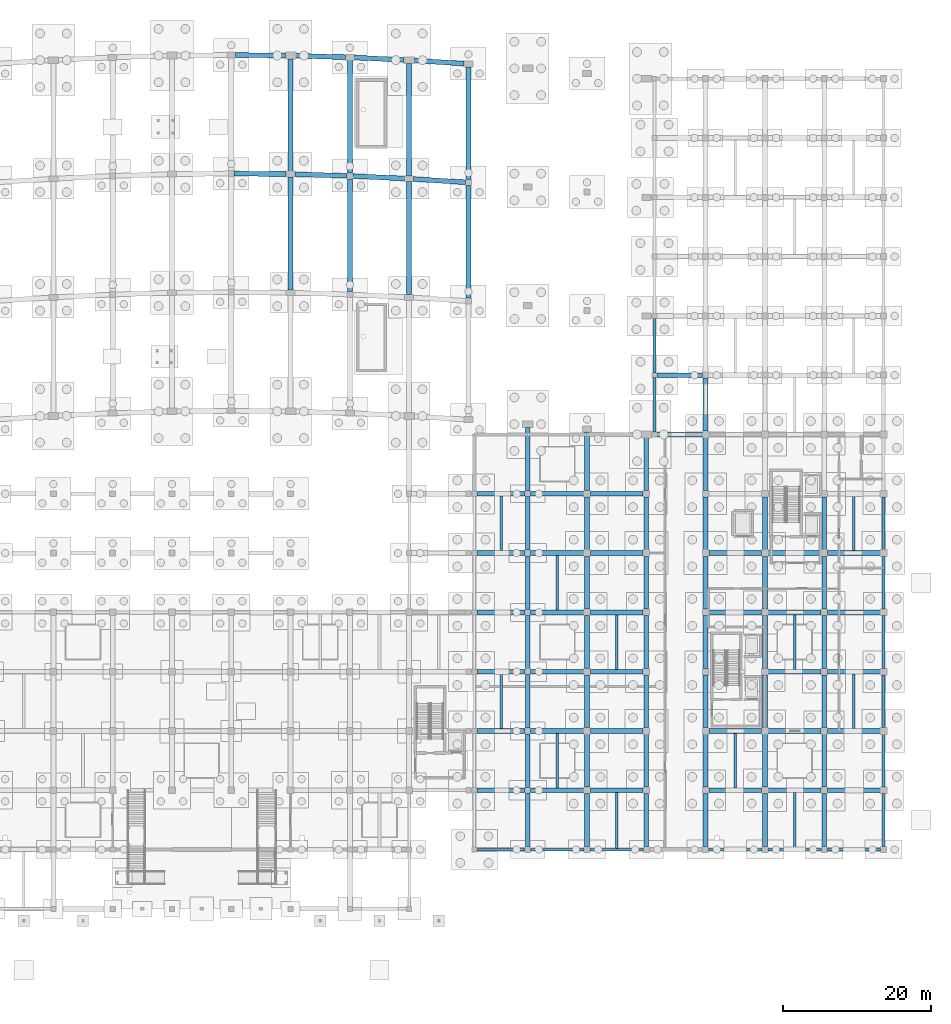
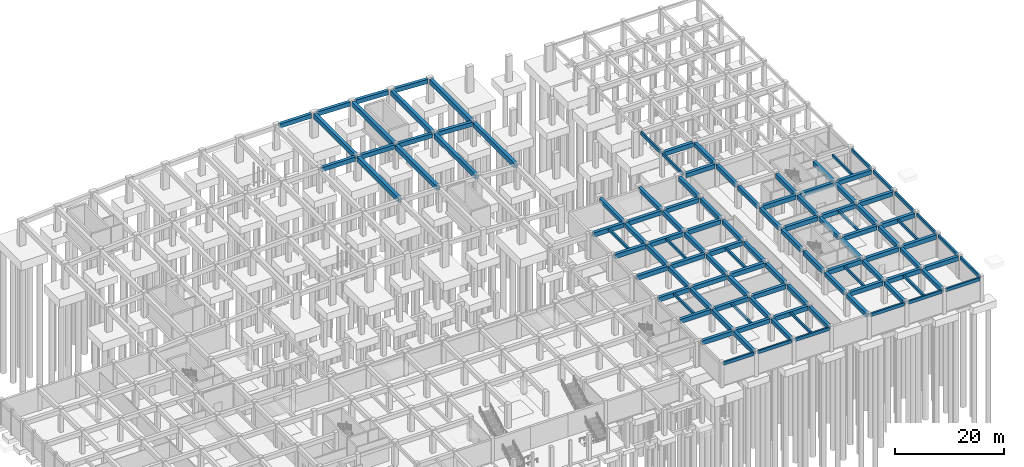
# One storey, part 21 of 45: 116 beams.
"""IFC4 building model written with IfcOpenShell, lengths in metres."""

from ifc_helpers import new_model, si_unit, direction, frame, origin, origin_2d, place, context, subcontext, project, spatial, rectangle, extrude, material, material_profile, profile_set, type_object, element, save


model = new_model("IFC4")

# Units and contexts
model_context = context("Model", 3, precision=1e-05, world=origin(), true_north=direction((0.0, 1.0)))
body_context = subcontext(model_context, "Body", "Model", "MODEL_VIEW")
ifc_project = project(units=[si_unit("LENGTHUNIT", "METRE"), si_unit("AREAUNIT", "SQUARE_METRE"), si_unit("VOLUMEUNIT", "CUBIC_METRE"), si_unit("PLANEANGLEUNIT", "RADIAN"), si_unit("MASSUNIT", "GRAM", prefix="KILO")], contexts=[model_context])

# Site, building, storey
site_placement = place(None, origin())
site = spatial("IfcSite", under=ifc_project, at=site_placement, CompositionType="ELEMENT")
building_placement = place(site_placement, origin())
building = spatial("IfcBuilding", under=site, at=building_placement, Name="Kenh Van Central Station", CompositionType="ELEMENT")
storey_placement = place(building_placement, frame((0.0, 0.0, -5.39990234375)))
storey = spatial("IfcBuildingStorey", under=building, at=storey_placement, Name="B1", CompositionType="ELEMENT", Elevation=-5.39990234375)

# Beams
ifc_material_1 = material(Name="Concrete C40/50", Category="concrete")
ifc_material_profile_1 = material_profile(ifc_material_1, rectangle(XDim=0.64990234375, YDim=0.949951171875, at=origin_2d()), Name="RC 650x950")
ifc_profile_set_1 = profile_set([ifc_material_profile_1], Name="Concrete C40/50")
beam_type_1 = type_object("IfcBeamType", Name="BM-RC-650x950", PredefinedType="BEAM", material=ifc_profile_set_1)
beam_1_placement = place(storey_placement, frame((121.139892578125, 16.0, 4.625), z_axis=(1.0, 0.0, 0.0), x_axis=(0.0, 1.0, 0.0)))
element("IfcBeam", 1, at=beam_1_placement, inside=storey, type_object=beam_type_1, Name="B1 beam 0028", PredefinedType="BEAM", context=body_context, shape_type="SweptSolid", body=[
    extrude(rectangle(XDim=0.64990234375, YDim=0.949951171875, at=origin_2d()), origin(), (0.0, 0.0, 1.0), 6.47021484375),
])
beam_2_placement = place(storey_placement, frame((128.389892578125, 16.0, 4.625), z_axis=(1.0, 0.0, 0.0), x_axis=(0.0, 1.0, 0.0)))
element("IfcBeam", 2, at=beam_2_placement, inside=storey, type_object=beam_type_1, Name="B1 beam 0029", PredefinedType="BEAM", context=body_context, shape_type="SweptSolid", body=[
    extrude(rectangle(XDim=0.64990234375, YDim=0.949951171875, at=origin_2d()), origin(), (0.0, 0.0, 1.0), 7.170166015625),
])
for number, where, z_axis, x_axis, name in (
    (3, (136.43994140625, 16.0, 4.625), (1.0, 0.0, 0.0), (0.0, 1.0, 0.0), "B1 beam 0030"),
    (4, (152.43994140625, 16.0, 4.5849609375), (1.0, 0.0, 0.0), (0.0, 1.0, 0.0), "B1 beam 0031"),
    (5, (160.43994140625, 16.0, 4.5849609375), (1.0, 0.0, 0.0), (0.0, 1.0, 0.0), "B1 beam 0032"),
    (6, (168.43994140625, 16.0, 4.5849609375), (1.0, 0.0, 0.0), (0.0, 1.0, 0.0), "B1 beam 0033"),
):
    element("IfcBeam", number, at=place(storey_placement, frame(where, z_axis=z_axis, x_axis=x_axis)), inside=storey, type_object=beam_type_1, Name=name, PredefinedType="BEAM", context=body_context, shape_type="SweptSolid", body=[
        extrude(rectangle(XDim=0.64990234375, YDim=0.949951171875, at=origin_2d()), origin(), (0.0, 0.0, 1.0), 7.1201171875),
    ])
beam_3_placement = place(storey_placement, frame((121.139892578125, 24.0, 4.625), z_axis=(1.0, 0.0, 0.0), x_axis=(0.0, 1.0, 0.0)))
element("IfcBeam", 7, at=beam_3_placement, inside=storey, type_object=beam_type_1, Name="B1 beam 0047", PredefinedType="BEAM", context=body_context, shape_type="SweptSolid", body=[
    extrude(rectangle(XDim=0.64990234375, YDim=0.949951171875, at=origin_2d()), origin(), (0.0, 0.0, 1.0), 6.47021484375),
])
beam_4_placement = place(storey_placement, frame((128.389892578125, 24.0, 4.625), z_axis=(1.0, 0.0, 0.0), x_axis=(0.0, 1.0, 0.0)))
element("IfcBeam", 8, at=beam_4_placement, inside=storey, type_object=beam_type_1, Name="B1 beam 0048", PredefinedType="BEAM", context=body_context, shape_type="SweptSolid", body=[
    extrude(rectangle(XDim=0.64990234375, YDim=0.949951171875, at=origin_2d()), origin(), (0.0, 0.0, 1.0), 7.170166015625),
])
for number, where, z_axis, x_axis, name in (
    (9, (136.43994140625, 24.0, 4.625), (1.0, 0.0, 0.0), (0.0, 1.0, 0.0), "B1 beam 0049"),
    (10, (152.43994140625, 24.0, 4.5849609375), (1.0, 0.0, 0.0), (0.0, 1.0, 0.0), "B1 beam 0050"),
    (11, (160.43994140625, 24.0, 4.5849609375), (1.0, 0.0, 0.0), (0.0, 1.0, 0.0), "B1 beam 0051"),
    (12, (168.43994140625, 24.0, 4.5849609375), (1.0, 0.0, 0.0), (0.0, 1.0, 0.0), "B1 beam 0052"),
):
    element("IfcBeam", number, at=place(storey_placement, frame(where, z_axis=z_axis, x_axis=x_axis)), inside=storey, type_object=beam_type_1, Name=name, PredefinedType="BEAM", context=body_context, shape_type="SweptSolid", body=[
        extrude(rectangle(XDim=0.64990234375, YDim=0.949951171875, at=origin_2d()), origin(), (0.0, 0.0, 1.0), 7.1201171875),
    ])
beam_5_placement = place(storey_placement, frame((121.139892578125, 32.0, 4.625), z_axis=(1.0, 0.0, 0.0), x_axis=(0.0, 1.0, 0.0)))
element("IfcBeam", 13, at=beam_5_placement, inside=storey, type_object=beam_type_1, Name="B1 beam 0068", PredefinedType="BEAM", context=body_context, shape_type="SweptSolid", body=[
    extrude(rectangle(XDim=0.64990234375, YDim=0.949951171875, at=origin_2d()), origin(), (0.0, 0.0, 1.0), 6.47021484375),
])
beam_6_placement = place(storey_placement, frame((128.389892578125, 32.0, 4.625), z_axis=(1.0, 0.0, 0.0), x_axis=(0.0, 1.0, 0.0)))
element("IfcBeam", 14, at=beam_6_placement, inside=storey, type_object=beam_type_1, Name="B1 beam 0069", PredefinedType="BEAM", context=body_context, shape_type="SweptSolid", body=[
    extrude(rectangle(XDim=0.64990234375, YDim=0.949951171875, at=origin_2d()), origin(), (0.0, 0.0, 1.0), 7.170166015625),
])
for number, where, z_axis, x_axis, name in (
    (15, (136.43994140625, 32.0, 4.625), (1.0, 0.0, 0.0), (0.0, 1.0, 0.0), "B1 beam 0070"),
    (16, (160.43994140625, 32.0, 4.5849609375), (1.0, 0.0, 0.0), (0.0, 1.0, 0.0), "B1 beam 0071"),
    (17, (168.43994140625, 32.0, 4.5849609375), (1.0, 0.0, 0.0), (0.0, 1.0, 0.0), "B1 beam 0072"),
):
    element("IfcBeam", number, at=place(storey_placement, frame(where, z_axis=z_axis, x_axis=x_axis)), inside=storey, type_object=beam_type_1, Name=name, PredefinedType="BEAM", context=body_context, shape_type="SweptSolid", body=[
        extrude(rectangle(XDim=0.64990234375, YDim=0.949951171875, at=origin_2d()), origin(), (0.0, 0.0, 1.0), 7.1201171875),
    ])
beam_7_placement = place(storey_placement, frame((121.139892578125, 40.0, 4.625), z_axis=(1.0, 0.0, 0.0), x_axis=(0.0, 1.0, 0.0)))
element("IfcBeam", 18, at=beam_7_placement, inside=storey, type_object=beam_type_1, Name="B1 beam 0088", PredefinedType="BEAM", context=body_context, shape_type="SweptSolid", body=[
    extrude(rectangle(XDim=0.64990234375, YDim=0.949951171875, at=origin_2d()), origin(), (0.0, 0.0, 1.0), 6.47021484375),
])
beam_8_placement = place(storey_placement, frame((128.389892578125, 40.0, 4.625), z_axis=(1.0, 0.0, 0.0), x_axis=(0.0, 1.0, 0.0)))
element("IfcBeam", 19, at=beam_8_placement, inside=storey, type_object=beam_type_1, Name="B1 beam 0089", PredefinedType="BEAM", context=body_context, shape_type="SweptSolid", body=[
    extrude(rectangle(XDim=0.64990234375, YDim=0.949951171875, at=origin_2d()), origin(), (0.0, 0.0, 1.0), 7.170166015625),
])
for number, where, z_axis, x_axis, name in (
    (20, (136.43994140625, 40.0, 4.625), (1.0, 0.0, 0.0), (0.0, 1.0, 0.0), "B1 beam 0090"),
    (21, (152.43994140625, 40.0, 4.5849609375), (1.0, 0.0, 0.0), (0.0, 1.0, 0.0), "B1 beam 0091"),
    (22, (160.43994140625, 40.0, 4.5849609375), (1.0, 0.0, 0.0), (0.0, 1.0, 0.0), "B1 beam 0092"),
    (23, (168.43994140625, 40.0, 4.5849609375), (1.0, 0.0, 0.0), (0.0, 1.0, 0.0), "B1 beam 0093"),
):
    element("IfcBeam", number, at=place(storey_placement, frame(where, z_axis=z_axis, x_axis=x_axis)), inside=storey, type_object=beam_type_1, Name=name, PredefinedType="BEAM", context=body_context, shape_type="SweptSolid", body=[
        extrude(rectangle(XDim=0.64990234375, YDim=0.949951171875, at=origin_2d()), origin(), (0.0, 0.0, 1.0), 7.1201171875),
    ])
beam_9_placement = place(storey_placement, frame((121.139892578125, 48.0, 4.625), z_axis=(1.0, 0.0, 0.0), x_axis=(0.0, 1.0, 0.0)))
element("IfcBeam", 24, at=beam_9_placement, inside=storey, type_object=beam_type_1, Name="B1 beam 0102", PredefinedType="BEAM", context=body_context, shape_type="SweptSolid", body=[
    extrude(rectangle(XDim=0.64990234375, YDim=0.949951171875, at=origin_2d()), origin(), (0.0, 0.0, 1.0), 6.47021484375),
])
beam_10_placement = place(storey_placement, frame((128.389892578125, 48.0, 4.625), z_axis=(1.0, 0.0, 0.0), x_axis=(0.0, 1.0, 0.0)))
element("IfcBeam", 25, at=beam_10_placement, inside=storey, type_object=beam_type_1, Name="B1 beam 0103", PredefinedType="BEAM", context=body_context, shape_type="SweptSolid", body=[
    extrude(rectangle(XDim=0.64990234375, YDim=0.949951171875, at=origin_2d()), origin(), (0.0, 0.0, 1.0), 7.170166015625),
])
for number, where, z_axis, x_axis, name in (
    (26, (136.43994140625, 48.0, 4.625), (1.0, 0.0, 0.0), (0.0, 1.0, 0.0), "B1 beam 0104"),
    (27, (152.43994140625, 48.0, 4.5849609375), (1.0, 0.0, 0.0), (0.0, 1.0, 0.0), "B1 beam 0105"),
    (28, (160.43994140625, 48.0, 4.5849609375), (1.0, 0.0, 0.0), (0.0, 1.0, 0.0), "B1 beam 0106"),
    (29, (168.43994140625, 48.0, 4.5849609375), (1.0, 0.0, 0.0), (0.0, 1.0, 0.0), "B1 beam 0107"),
):
    element("IfcBeam", number, at=place(storey_placement, frame(where, z_axis=z_axis, x_axis=x_axis)), inside=storey, type_object=beam_type_1, Name=name, PredefinedType="BEAM", context=body_context, shape_type="SweptSolid", body=[
        extrude(rectangle(XDim=0.64990234375, YDim=0.949951171875, at=origin_2d()), origin(), (0.0, 0.0, 1.0), 7.1201171875),
    ])
beam_11_placement = place(storey_placement, frame((121.139892578125, 56.0, 4.625), z_axis=(1.0, 0.0, 0.0), x_axis=(0.0, 1.0, 0.0)))
element("IfcBeam", 30, at=beam_11_placement, inside=storey, type_object=beam_type_1, Name="B1 beam 0115", PredefinedType="BEAM", context=body_context, shape_type="SweptSolid", body=[
    extrude(rectangle(XDim=0.64990234375, YDim=0.949951171875, at=origin_2d()), origin(), (0.0, 0.0, 1.0), 6.47021484375),
])
beam_12_placement = place(storey_placement, frame((128.389892578125, 56.0, 4.625), z_axis=(1.0, 0.0, 0.0), x_axis=(0.0, 1.0, 0.0)))
element("IfcBeam", 31, at=beam_12_placement, inside=storey, type_object=beam_type_1, Name="B1 beam 0116", PredefinedType="BEAM", context=body_context, shape_type="SweptSolid", body=[
    extrude(rectangle(XDim=0.64990234375, YDim=0.949951171875, at=origin_2d()), origin(), (0.0, 0.0, 1.0), 7.170166015625),
])
beam_13_placement = place(storey_placement, frame((136.43994140625, 56.0, 4.625), z_axis=(1.0, 0.0, 0.0), x_axis=(0.0, 1.0, 0.0)))
element("IfcBeam", 32, at=beam_13_placement, inside=storey, type_object=beam_type_1, Name="B1 beam 0117", PredefinedType="BEAM", context=body_context, shape_type="SweptSolid", body=[
    extrude(rectangle(XDim=0.64990234375, YDim=0.949951171875, at=origin_2d()), origin(), (0.0, 0.0, 1.0), 7.1201171875),
])
beam_14_placement = place(storey_placement, frame((145.4150390625, 64.0, 4.625), z_axis=(1.0, 0.0, 0.0), x_axis=(0.0, 1.0, 0.0)))
element("IfcBeam", 33, at=beam_14_placement, inside=storey, type_object=beam_type_1, Name="B1 beam 0120", PredefinedType="BEAM", context=body_context, shape_type="SweptSolid", body=[
    extrude(rectangle(XDim=0.64990234375, YDim=0.949951171875, at=origin_2d()), origin(), (0.0, 0.0, 1.0), 6.14501953125),
])
beam_15_placement = place(storey_placement, frame((145.4150390625, 72.0, 4.625), z_axis=(1.0, 0.0, 0.0), x_axis=(0.0, 1.0, 0.0)))
element("IfcBeam", 34, at=beam_15_placement, inside=storey, type_object=beam_type_1, Name="B1 beam 0124", PredefinedType="BEAM", context=body_context, shape_type="SweptSolid", body=[
    extrude(rectangle(XDim=0.64990234375, YDim=0.949951171875, at=origin_2d()), origin(), (0.0, 0.0, 1.0), 6.195068359375),
])
for number, where, z_axis, x_axis, name in (
    (35, (128.0, 8.389892578125, 4.625), (0.0, 1.0, 0.0), (-1.0, 0.0, 0.0), "B1 beam 0234"),
    (36, (128.0, 16.389892578125, 4.625), (0.0, 1.0, 0.0), (-1.0, 0.0, 0.0), "B1 beam 0235"),
    (37, (128.0, 24.389892578125, 4.625), (0.0, 1.0, 0.0), (-1.0, 0.0, 0.0), "B1 beam 0236"),
    (38, (128.0, 32.389892578125, 4.625), (0.0, 1.0, 0.0), (-1.0, 0.0, 0.0), "B1 beam 0237"),
    (39, (128.0, 40.389892578125, 4.625), (0.0, 1.0, 0.0), (-1.0, 0.0, 0.0), "B1 beam 0238"),
    (40, (128.0, 48.389892578125, 4.625), (0.0, 1.0, 0.0), (-1.0, 0.0, 0.0), "B1 beam 0239"),
):
    element("IfcBeam", number, at=place(storey_placement, frame(where, z_axis=z_axis, x_axis=x_axis)), inside=storey, type_object=beam_type_1, Name=name, PredefinedType="BEAM", context=body_context, shape_type="SweptSolid", body=[
        extrude(rectangle(XDim=0.64990234375, YDim=0.949951171875, at=origin_2d()), origin(), (0.0, 0.0, 1.0), 7.22021484375),
    ])
beam_16_placement = place(storey_placement, frame((128.0, 56.389892578125, 4.625), z_axis=(0.0, 1.0, 0.0), x_axis=(-1.0, 0.0, 0.0)))
element("IfcBeam", 41, at=beam_16_placement, inside=storey, type_object=beam_type_1, Name="B1 beam 0240", PredefinedType="BEAM", context=body_context, shape_type="SweptSolid", body=[
    extrude(rectangle(XDim=0.64990234375, YDim=0.949951171875, at=origin_2d()), origin(), (0.0, 0.0, 1.0), 8.55859375),
])
beam_17_placement = place(storey_placement, frame((136.0, 8.389892578125, 4.625), z_axis=(0.0, 1.0, 0.0), x_axis=(-1.0, 0.0, 0.0)))
element("IfcBeam", 42, at=beam_17_placement, inside=storey, type_object=beam_type_1, Name="B1 beam 0241", PredefinedType="BEAM", context=body_context, shape_type="SweptSolid", body=[
    extrude(rectangle(XDim=0.64990234375, YDim=0.949951171875, at=origin_2d()), origin(), (0.0, 0.0, 1.0), 7.170166015625),
])
for number, where, z_axis, x_axis, name in (
    (43, (136.0, 16.43994140625, 4.625), (0.0, 1.0, 0.0), (-1.0, 0.0, 0.0), "B1 beam 0242"),
    (44, (136.0, 24.43994140625, 4.625), (0.0, 1.0, 0.0), (-1.0, 0.0, 0.0), "B1 beam 0243"),
    (45, (136.0, 32.43994140625, 4.625), (0.0, 1.0, 0.0), (-1.0, 0.0, 0.0), "B1 beam 0244"),
    (46, (136.0, 40.43994140625, 4.625), (0.0, 1.0, 0.0), (-1.0, 0.0, 0.0), "B1 beam 0245"),
    (47, (136.0, 48.43994140625, 4.625), (0.0, 1.0, 0.0), (-1.0, 0.0, 0.0), "B1 beam 0246"),
):
    element("IfcBeam", number, at=place(storey_placement, frame(where, z_axis=z_axis, x_axis=x_axis)), inside=storey, type_object=beam_type_1, Name=name, PredefinedType="BEAM", context=body_context, shape_type="SweptSolid", body=[
        extrude(rectangle(XDim=0.64990234375, YDim=0.949951171875, at=origin_2d()), origin(), (0.0, 0.0, 1.0), 7.1201171875),
    ])
beam_18_placement = place(storey_placement, frame((136.0, 56.43994140625, 4.625), z_axis=(0.0, 1.0, 0.0), x_axis=(-1.0, 0.0, 0.0)))
element("IfcBeam", 48, at=beam_18_placement, inside=storey, type_object=beam_type_1, Name="B1 beam 0247", PredefinedType="BEAM", context=body_context, shape_type="SweptSolid", body=[
    extrude(rectangle(XDim=0.64990234375, YDim=0.949951171875, at=origin_2d()), origin(), (0.0, 0.0, 1.0), 7.882080078125),
])
beam_19_placement = place(storey_placement, frame((144.0, 8.389892578125, 4.625), z_axis=(0.0, 1.0, 0.0), x_axis=(-1.0, 0.0, 0.0)))
element("IfcBeam", 49, at=beam_19_placement, inside=storey, type_object=beam_type_1, Name="B1 beam 0248", PredefinedType="BEAM", context=body_context, shape_type="SweptSolid", body=[
    extrude(rectangle(XDim=0.64990234375, YDim=0.949951171875, at=origin_2d()), origin(), (0.0, 0.0, 1.0), 7.170166015625),
])
for number, where, z_axis, x_axis, name in (
    (50, (144.0, 16.43994140625, 4.625), (0.0, 1.0, 0.0), (-1.0, 0.0, 0.0), "B1 beam 0249"),
    (51, (144.0, 24.43994140625, 4.625), (0.0, 1.0, 0.0), (-1.0, 0.0, 0.0), "B1 beam 0250"),
    (52, (144.0, 32.43994140625, 4.625), (0.0, 1.0, 0.0), (-1.0, 0.0, 0.0), "B1 beam 0251"),
    (53, (144.0, 40.43994140625, 4.625), (0.0, 1.0, 0.0), (-1.0, 0.0, 0.0), "B1 beam 0252"),
    (54, (144.0, 48.43994140625, 4.625), (0.0, 1.0, 0.0), (-1.0, 0.0, 0.0), "B1 beam 0253"),
    (55, (144.0, 56.43994140625, 4.625), (0.0, 1.0, 0.0), (-1.0, 0.0, 0.0), "B1 beam 0254"),
):
    element("IfcBeam", number, at=place(storey_placement, frame(where, z_axis=z_axis, x_axis=x_axis)), inside=storey, type_object=beam_type_1, Name=name, PredefinedType="BEAM", context=body_context, shape_type="SweptSolid", body=[
        extrude(rectangle(XDim=0.64990234375, YDim=0.949951171875, at=origin_2d()), origin(), (0.0, 0.0, 1.0), 7.1201171875),
    ])
beam_20_placement = place(storey_placement, frame((152.0, 8.389892578125, 4.625), z_axis=(0.0, 1.0, 0.0), x_axis=(-1.0, 0.0, 0.0)))
element("IfcBeam", 56, at=beam_20_placement, inside=storey, type_object=beam_type_1, Name="B1 beam 0261", PredefinedType="BEAM", context=body_context, shape_type="SweptSolid", body=[
    extrude(rectangle(XDim=0.64990234375, YDim=0.949951171875, at=origin_2d()), origin(), (0.0, 0.0, 1.0), 7.170166015625),
])
for number, where, z_axis, x_axis, name in (
    (57, (152.0, 16.43994140625, 4.625), (0.0, 1.0, 0.0), (-1.0, 0.0, 0.0), "B1 beam 0262"),
    (58, (152.0, 24.43994140625, 4.625), (0.0, 1.0, 0.0), (-1.0, 0.0, 0.0), "B1 beam 0263"),
    (59, (152.0, 32.43994140625, 4.625), (0.0, 1.0, 0.0), (-1.0, 0.0, 0.0), "B1 beam 0264"),
    (60, (152.0, 40.43994140625, 4.625), (0.0, 1.0, 0.0), (-1.0, 0.0, 0.0), "B1 beam 0265"),
    (61, (152.0, 48.43994140625, 4.625), (0.0, 1.0, 0.0), (-1.0, 0.0, 0.0), "B1 beam 0266"),
    (62, (152.0, 56.43994140625, 4.625), (0.0, 1.0, 0.0), (-1.0, 0.0, 0.0), "B1 beam 0267"),
):
    element("IfcBeam", number, at=place(storey_placement, frame(where, z_axis=z_axis, x_axis=x_axis)), inside=storey, type_object=beam_type_1, Name=name, PredefinedType="BEAM", context=body_context, shape_type="SweptSolid", body=[
        extrude(rectangle(XDim=0.64990234375, YDim=0.949951171875, at=origin_2d()), origin(), (0.0, 0.0, 1.0), 7.1201171875),
    ])
for number, where, z_axis, x_axis, name in (
    (63, (152.0, 64.43994140625, 4.625), (0.0, 1.0, 0.0), (-1.0, 0.0, 0.0), "B1 beam 0268"),
    (64, (160.0, 8.389892578125, 4.5849609375), (0.0, 1.0, 0.0), (-1.0, 0.0, 0.0), "B1 beam 0274"),
):
    element("IfcBeam", number, at=place(storey_placement, frame(where, z_axis=z_axis, x_axis=x_axis)), inside=storey, type_object=beam_type_1, Name=name, PredefinedType="BEAM", context=body_context, shape_type="SweptSolid", body=[
        extrude(rectangle(XDim=0.64990234375, YDim=0.949951171875, at=origin_2d()), origin(), (0.0, 0.0, 1.0), 7.170166015625),
    ])
for number, where, z_axis, x_axis, name in (
    (65, (160.0, 16.43994140625, 4.5849609375), (0.0, 1.0, 0.0), (-1.0, 0.0, 0.0), "B1 beam 0275"),
    (66, (160.0, 24.43994140625, 4.5849609375), (0.0, 1.0, 0.0), (-1.0, 0.0, 0.0), "B1 beam 0276"),
    (67, (160.0, 32.43994140625, 4.5849609375), (0.0, 1.0, 0.0), (-1.0, 0.0, 0.0), "B1 beam 0277"),
    (68, (160.0, 40.43994140625, 4.5849609375), (0.0, 1.0, 0.0), (-1.0, 0.0, 0.0), "B1 beam 0278"),
    (69, (160.0, 48.43994140625, 4.5849609375), (0.0, 1.0, 0.0), (-1.0, 0.0, 0.0), "B1 beam 0279"),
):
    element("IfcBeam", number, at=place(storey_placement, frame(where, z_axis=z_axis, x_axis=x_axis)), inside=storey, type_object=beam_type_1, Name=name, PredefinedType="BEAM", context=body_context, shape_type="SweptSolid", body=[
        extrude(rectangle(XDim=0.64990234375, YDim=0.949951171875, at=origin_2d()), origin(), (0.0, 0.0, 1.0), 7.1201171875),
    ])
beam_21_placement = place(storey_placement, frame((168.0, 8.389892578125, 4.5849609375), z_axis=(0.0, 1.0, 0.0), x_axis=(-1.0, 0.0, 0.0)))
element("IfcBeam", 70, at=beam_21_placement, inside=storey, type_object=beam_type_1, Name="B1 beam 0287", PredefinedType="BEAM", context=body_context, shape_type="SweptSolid", body=[
    extrude(rectangle(XDim=0.64990234375, YDim=0.949951171875, at=origin_2d()), origin(), (0.0, 0.0, 1.0), 7.170166015625),
])
for number, where, z_axis, x_axis, name in (
    (71, (168.0, 16.43994140625, 4.5849609375), (0.0, 1.0, 0.0), (-1.0, 0.0, 0.0), "B1 beam 0288"),
    (72, (168.0, 24.43994140625, 4.5849609375), (0.0, 1.0, 0.0), (-1.0, 0.0, 0.0), "B1 beam 0289"),
    (73, (168.0, 32.43994140625, 4.5849609375), (0.0, 1.0, 0.0), (-1.0, 0.0, 0.0), "B1 beam 0290"),
    (74, (168.0, 40.43994140625, 4.5849609375), (0.0, 1.0, 0.0), (-1.0, 0.0, 0.0), "B1 beam 0291"),
    (75, (168.0, 48.43994140625, 4.5849609375), (0.0, 1.0, 0.0), (-1.0, 0.0, 0.0), "B1 beam 0292"),
):
    element("IfcBeam", number, at=place(storey_placement, frame(where, z_axis=z_axis, x_axis=x_axis)), inside=storey, type_object=beam_type_1, Name=name, PredefinedType="BEAM", context=body_context, shape_type="SweptSolid", body=[
        extrude(rectangle(XDim=0.64990234375, YDim=0.949951171875, at=origin_2d()), origin(), (0.0, 0.0, 1.0), 7.1201171875),
    ])
beam_22_placement = place(storey_placement, frame((88.389892578125, 99.196044921875, 4.625), z_axis=(0.999949843668, -0.010015495409, 0.0), x_axis=(0.010015495409, 0.999949843668, 0.0)))
element("IfcBeam", 76, at=beam_22_placement, inside=storey, type_object=beam_type_1, Name="B1 viaduct girder 1330", PredefinedType="BEAM", context=body_context, shape_type="SweptSolid", body=[
    extrude(rectangle(XDim=0.64990234375, YDim=0.949951171875, at=origin_2d()), origin(), (0.0, 0.0, 1.0), 7.020263671875),
])
beam_23_placement = place(storey_placement, frame((96.58984375, 99.102294921875, 4.625), z_axis=(0.999562359797, -0.029581901172, 0.0), x_axis=(0.029581901172, 0.999562359797, 0.0)))
element("IfcBeam", 77, at=beam_23_placement, inside=storey, type_object=beam_type_1, Name="B1 viaduct girder 1331", PredefinedType="BEAM", context=body_context, shape_type="SweptSolid", body=[
    extrude(rectangle(XDim=0.64990234375, YDim=0.949951171875, at=origin_2d()), origin(), (0.0, 0.0, 1.0), 7.0234375),
])
beam_24_placement = place(storey_placement, frame((104.3896484375, 98.864501953125, 4.625), z_axis=(0.998867194536, -0.04758495224, 0.0), x_axis=(0.04758495224, 0.998867194536, 0.0)))
element("IfcBeam", 78, at=beam_24_placement, inside=storey, type_object=beam_type_1, Name="B1 viaduct girder 1332", PredefinedType="BEAM", context=body_context, shape_type="SweptSolid", body=[
    extrude(rectangle(XDim=0.64990234375, YDim=0.949951171875, at=origin_2d()), origin(), (0.0, 0.0, 1.0), 7.029052734375),
])
beam_25_placement = place(storey_placement, frame((112.5888671875, 98.464599609375, 4.625), z_axis=(0.997999567519, -0.063220750018, 0.0), x_axis=(0.063220750018, 0.997999567519, 0.0)))
element("IfcBeam", 79, at=beam_25_placement, inside=storey, type_object=beam_type_1, Name="B1 viaduct girder 1333", PredefinedType="BEAM", context=body_context, shape_type="SweptSolid", body=[
    extrude(rectangle(XDim=0.64990234375, YDim=0.949951171875, at=origin_2d()), origin(), (0.0, 0.0, 1.0), 7.0361328125),
])
beam_26_placement = place(storey_placement, frame((88.590087890625, 115.194091796875, 4.625), z_axis=(0.99994973094, -0.010026743896, 0.0), x_axis=(0.010026743896, 0.99994973094, 0.0)))
element("IfcBeam", 80, at=beam_26_placement, inside=storey, type_object=beam_type_1, Name="B1 viaduct girder 1341", PredefinedType="BEAM", context=body_context, shape_type="SweptSolid", body=[
    extrude(rectangle(XDim=0.64990234375, YDim=0.949951171875, at=origin_2d()), origin(), (0.0, 0.0, 1.0), 6.72021484375),
])
beam_27_placement = place(storey_placement, frame((96.689697265625, 115.099365234375, 4.625), z_axis=(0.999563065499, -0.029558046112, 0.0), x_axis=(0.029558046112, 0.999563065499, 0.0)))
element("IfcBeam", 81, at=beam_27_placement, inside=storey, type_object=beam_type_1, Name="B1 viaduct girder 1342", PredefinedType="BEAM", context=body_context, shape_type="SweptSolid", body=[
    extrude(rectangle(XDim=0.64990234375, YDim=0.949951171875, at=origin_2d()), origin(), (0.0, 0.0, 1.0), 6.723388671875),
])
beam_28_placement = place(storey_placement, frame((104.58935546875, 114.85498046875, 4.625), z_axis=(0.998866413286, -0.047601348815, 0.0), x_axis=(0.047601348815, 0.998866413286, 0.0)))
element("IfcBeam", 82, at=beam_28_placement, inside=storey, type_object=beam_type_1, Name="B1 viaduct girder 1343", PredefinedType="BEAM", context=body_context, shape_type="SweptSolid", body=[
    extrude(rectangle(XDim=0.64990234375, YDim=0.949951171875, at=origin_2d()), origin(), (0.0, 0.0, 1.0), 6.72900390625),
])
beam_29_placement = place(storey_placement, frame((112.688720703125, 114.458251953125, 4.625), z_axis=(0.99800019098, -0.06321090732, 0.0), x_axis=(0.06321090732, 0.99800019098, 0.0)))
element("IfcBeam", 83, at=beam_29_placement, inside=storey, type_object=beam_type_1, Name="B1 viaduct girder 1344", PredefinedType="BEAM", context=body_context, shape_type="SweptSolid", body=[
    extrude(rectangle(XDim=0.64990234375, YDim=0.949951171875, at=origin_2d()), origin(), (0.0, 0.0, 1.0), 6.73583984375),
])
ifc_material_profile_2 = material_profile(ifc_material_1, rectangle(XDim=0.699951171875, YDim=1.10009765625, at=origin_2d()), Name="RC 700x1100")
ifc_profile_set_2 = profile_set([ifc_material_profile_2], Name="Concrete C40/50")
beam_type_2 = type_object("IfcBeamType", Name="BM-RC-700x1100", PredefinedType="BEAM", material=ifc_profile_set_2)
beam_30_placement = place(storey_placement, frame((96.0, 83.509765625, 4.5498046875), z_axis=(0.0, 1.0, 0.0), x_axis=(-1.0, 0.0, 0.0)))
element("IfcBeam", 84, at=beam_30_placement, inside=storey, type_object=beam_type_2, Name="B1 viaduct cross-girder 1370", PredefinedType="BEAM", context=body_context, shape_type="SweptSolid", body=[
    extrude(rectangle(XDim=0.699951171875, YDim=1.10009765625, at=origin_2d()), origin(), (0.0, 0.0, 1.0), 15.219970703125),
])
beam_31_placement = place(storey_placement, frame((96.0, 99.509765625, 4.5498046875), z_axis=(0.0, 1.0, 0.0), x_axis=(-1.0, 0.0, 0.0)))
element("IfcBeam", 85, at=beam_31_placement, inside=storey, type_object=beam_type_2, Name="B1 viaduct cross-girder 1371", PredefinedType="BEAM", context=body_context, shape_type="SweptSolid", body=[
    extrude(rectangle(XDim=0.699951171875, YDim=1.10009765625, at=origin_2d()), origin(), (0.0, 0.0, 1.0), 15.169921875),
])
for number, where, z_axis, x_axis, name in (
    (86, (104.0, 83.273193359375, 4.5498046875), (0.0, 1.0, 0.0), (-1.0, 0.0, 0.0), "B1 viaduct cross-girder 1373"),
    (87, (104.0, 99.273193359375, 4.5498046875), (0.0, 1.0, 0.0), (-1.0, 0.0, 0.0), "B1 viaduct cross-girder 1374"),
    (88, (112.0, 82.891845703125, 4.5498046875), (0.0, 1.0, 0.0), (-1.0, 0.0, 0.0), "B1 viaduct cross-girder 1376"),
):
    element("IfcBeam", number, at=place(storey_placement, frame(where, z_axis=z_axis, x_axis=x_axis)), inside=storey, type_object=beam_type_2, Name=name, PredefinedType="BEAM", context=body_context, shape_type="SweptSolid", body=[
        extrude(rectangle(XDim=0.699951171875, YDim=1.10009765625, at=origin_2d()), origin(), (0.0, 0.0, 1.0), 15.219970703125),
    ])
beam_32_placement = place(storey_placement, frame((112.0, 98.891845703125, 4.5498046875), z_axis=(0.0, 1.0, 0.0), x_axis=(-1.0, 0.0, 0.0)))
element("IfcBeam", 89, at=beam_32_placement, inside=storey, type_object=beam_type_2, Name="B1 viaduct cross-girder 1377", PredefinedType="BEAM", context=body_context, shape_type="SweptSolid", body=[
    extrude(rectangle(XDim=0.699951171875, YDim=1.10009765625, at=origin_2d()), origin(), (0.0, 0.0, 1.0), 15.170166015625),
])
for number, where, z_axis, x_axis, name in (
    (90, (120.0, 82.38525390625, 4.5498046875), (0.0, 1.0, 0.0), (-1.0, 0.0, 0.0), "B1 viaduct cross-girder 1379"),
    (91, (120.0, 98.38525390625, 4.5498046875), (0.0, 1.0, 0.0), (-1.0, 0.0, 0.0), "B1 viaduct cross-girder 1380"),
):
    element("IfcBeam", number, at=place(storey_placement, frame(where, z_axis=z_axis, x_axis=x_axis)), inside=storey, type_object=beam_type_2, Name=name, PredefinedType="BEAM", context=body_context, shape_type="SweptSolid", body=[
        extrude(rectangle(XDim=0.699951171875, YDim=1.10009765625, at=origin_2d()), origin(), (0.0, 0.0, 1.0), 15.219970703125),
    ])
ifc_material_2 = material(Name="Concrete C35/45", Category="concrete")
ifc_material_profile_3 = material_profile(ifc_material_2, rectangle(XDim=0.35009765625, YDim=0.550048828125, at=origin_2d()), Name="RC 350x550")
ifc_profile_set_3 = profile_set([ifc_material_profile_3], Name="Concrete C35/45")
beam_type_3 = type_object("IfcBeamType", Name="JST-RC-350x550", PredefinedType="JOIST", material=ifc_profile_set_3)
for number, where, z_axis, x_axis, name in (
    (92, (124.39990234375, 24.324951171875, 4.824951171875), (0.0, 1.0, 0.0), (-1.0, 0.0, 0.0), "B1 floor joist 0332"),
    (93, (124.39990234375, 48.324951171875, 4.824951171875), (0.0, 1.0, 0.0), (-1.0, 0.0, 0.0), "B1 floor joist 0333"),
    (94, (132.0, 16.324951171875, 4.824951171875), (0.0, 1.0, 0.0), (-1.0, 0.0, 0.0), "B1 floor joist 0334"),
    (95, (132.0, 40.324951171875, 4.824951171875), (0.0, 1.0, 0.0), (-1.0, 0.0, 0.0), "B1 floor joist 0335"),
):
    element("IfcBeam", number, at=place(storey_placement, frame(where, z_axis=z_axis, x_axis=x_axis)), inside=storey, type_object=beam_type_3, Name=name, PredefinedType="JOIST", context=body_context, shape_type="SweptSolid", body=[
        extrude(rectangle(XDim=0.35009765625, YDim=0.550048828125, at=origin_2d()), origin(), (0.0, 0.0, 1.0), 7.35009765625),
    ])
beam_33_placement = place(storey_placement, frame((140.0, 8.175048828125, 4.824951171875), z_axis=(0.0, 1.0, 0.0), x_axis=(-1.0, 0.0, 0.0)))
element("IfcBeam", 96, at=beam_33_placement, inside=storey, type_object=beam_type_3, Name="B1 floor joist 0336", PredefinedType="JOIST", context=body_context, shape_type="SweptSolid", body=[
    extrude(rectangle(XDim=0.35009765625, YDim=0.550048828125, at=origin_2d()), origin(), (0.0, 0.0, 1.0), 7.5),
])
for number, where, z_axis, x_axis, name in (
    (97, (140.0, 32.324951171875, 4.824951171875), (0.0, 1.0, 0.0), (-1.0, 0.0, 0.0), "B1 floor joist 0337"),
    (98, (156.0, 16.324951171875, 4.784912109375), (0.0, 1.0, 0.0), (-1.0, 0.0, 0.0), "B1 floor joist 0338"),
):
    element("IfcBeam", number, at=place(storey_placement, frame(where, z_axis=z_axis, x_axis=x_axis)), inside=storey, type_object=beam_type_3, Name=name, PredefinedType="JOIST", context=body_context, shape_type="SweptSolid", body=[
        extrude(rectangle(XDim=0.35009765625, YDim=0.550048828125, at=origin_2d()), origin(), (0.0, 0.0, 1.0), 7.35009765625),
    ])
beam_34_placement = place(storey_placement, frame((164.0, 8.175048828125, 4.784912109375), z_axis=(0.0, 1.0, 0.0), x_axis=(-1.0, 0.0, 0.0)))
element("IfcBeam", 99, at=beam_34_placement, inside=storey, type_object=beam_type_3, Name="B1 floor joist 0341", PredefinedType="JOIST", context=body_context, shape_type="SweptSolid", body=[
    extrude(rectangle(XDim=0.35009765625, YDim=0.550048828125, at=origin_2d()), origin(), (0.0, 0.0, 1.0), 7.5),
])
for number, where, z_axis, x_axis, name in (
    (100, (164.0, 32.324951171875, 4.784912109375), (0.0, 1.0, 0.0), (-1.0, 0.0, 0.0), "B1 floor joist 0342"),
    (101, (172.0, 24.324951171875, 4.784912109375), (0.0, 1.0, 0.0), (-1.0, 0.0, 0.0), "B1 floor joist 0345"),
    (102, (172.0, 48.324951171875, 4.784912109375), (0.0, 1.0, 0.0), (-1.0, 0.0, 0.0), "B1 floor joist 0346"),
):
    element("IfcBeam", number, at=place(storey_placement, frame(where, z_axis=z_axis, x_axis=x_axis)), inside=storey, type_object=beam_type_3, Name=name, PredefinedType="JOIST", context=body_context, shape_type="SweptSolid", body=[
        extrude(rectangle(XDim=0.35009765625, YDim=0.550048828125, at=origin_2d()), origin(), (0.0, 0.0, 1.0), 7.35009765625),
    ])
ifc_material_profile_4 = material_profile(ifc_material_2, rectangle(XDim=0.35009765625, YDim=0.699951171875, at=origin_2d()), Name="RC 350x700")
ifc_profile_set_4 = profile_set([ifc_material_profile_4], Name="Concrete C35/45")
beam_type_4 = type_object("IfcBeamType", Name="SPD-RC-350x700", PredefinedType="SPANDREL", material=ifc_profile_set_4)
beam_35_placement = place(storey_placement, frame((121.139892578125, 8.0, 4.75), z_axis=(1.0, 0.0, 0.0), x_axis=(0.0, 1.0, 0.0)))
element("IfcBeam", 103, at=beam_35_placement, inside=storey, type_object=beam_type_4, Name="B1 beam 0011", PredefinedType="SPANDREL", context=body_context, shape_type="SweptSolid", body=[
    extrude(rectangle(XDim=0.35009765625, YDim=0.699951171875, at=origin_2d()), origin(), (0.0, 0.0, 1.0), 6.47021484375),
])
for number, where, z_axis, x_axis, name in (
    (104, (128.389892578125, 8.0, 4.75), (1.0, 0.0, 0.0), (0.0, 1.0, 0.0), "B1 beam 0012"),
    (105, (136.389892578125, 8.0, 4.75), (1.0, 0.0, 0.0), (0.0, 1.0, 0.0), "B1 beam 0013"),
    (106, (152.389892578125, 8.0, 4.7099609375), (1.0, 0.0, 0.0), (0.0, 1.0, 0.0), "B1 beam 0014"),
    (107, (160.389892578125, 8.0, 4.7099609375), (1.0, 0.0, 0.0), (0.0, 1.0, 0.0), "B1 beam 0015"),
    (108, (168.389892578125, 8.0, 4.7099609375), (1.0, 0.0, 0.0), (0.0, 1.0, 0.0), "B1 beam 0016"),
):
    element("IfcBeam", number, at=place(storey_placement, frame(where, z_axis=z_axis, x_axis=x_axis)), inside=storey, type_object=beam_type_4, Name=name, PredefinedType="SPANDREL", context=body_context, shape_type="SweptSolid", body=[
        extrude(rectangle(XDim=0.35009765625, YDim=0.699951171875, at=origin_2d()), origin(), (0.0, 0.0, 1.0), 7.22021484375),
    ])
for number, where, z_axis, x_axis, name in (
    (109, (145.10009765625, 64.31494140625, 4.75), (0.0, 1.0, 0.0), (-1.0, 0.0, 0.0), "B1 beam 0255"),
    (110, (145.10009765625, 72.31494140625, 4.75), (0.0, 1.0, 0.0), (-1.0, 0.0, 0.0), "B1 beam 0256"),
):
    element("IfcBeam", number, at=place(storey_placement, frame(where, z_axis=z_axis, x_axis=x_axis)), inside=storey, type_object=beam_type_4, Name=name, PredefinedType="SPANDREL", context=body_context, shape_type="SweptSolid", body=[
        extrude(rectangle(XDim=0.35009765625, YDim=0.699951171875, at=origin_2d()), origin(), (0.0, 0.0, 1.0), 7.3701171875),
    ])
beam_36_placement = place(storey_placement, frame((176.0, 8.389892578125, 4.7099609375), z_axis=(0.0, 1.0, 0.0), x_axis=(-1.0, 0.0, 0.0)))
element("IfcBeam", 111, at=beam_36_placement, inside=storey, type_object=beam_type_4, Name="B1 beam 0300", PredefinedType="SPANDREL", context=body_context, shape_type="SweptSolid", body=[
    extrude(rectangle(XDim=0.35009765625, YDim=0.699951171875, at=origin_2d()), origin(), (0.0, 0.0, 1.0), 7.170166015625),
])
for number, where, z_axis, x_axis, name in (
    (112, (176.0, 16.43994140625, 4.7099609375), (0.0, 1.0, 0.0), (-1.0, 0.0, 0.0), "B1 beam 0301"),
    (113, (176.0, 24.43994140625, 4.7099609375), (0.0, 1.0, 0.0), (-1.0, 0.0, 0.0), "B1 beam 0302"),
    (114, (176.0, 32.43994140625, 4.7099609375), (0.0, 1.0, 0.0), (-1.0, 0.0, 0.0), "B1 beam 0303"),
    (115, (176.0, 40.43994140625, 4.7099609375), (0.0, 1.0, 0.0), (-1.0, 0.0, 0.0), "B1 beam 0304"),
    (116, (176.0, 48.43994140625, 4.7099609375), (0.0, 1.0, 0.0), (-1.0, 0.0, 0.0), "B1 beam 0305"),
):
    element("IfcBeam", number, at=place(storey_placement, frame(where, z_axis=z_axis, x_axis=x_axis)), inside=storey, type_object=beam_type_4, Name=name, PredefinedType="SPANDREL", context=body_context, shape_type="SweptSolid", body=[
        extrude(rectangle(XDim=0.35009765625, YDim=0.699951171875, at=origin_2d()), origin(), (0.0, 0.0, 1.0), 7.1201171875),
    ])

save(model, "model.ifc")
